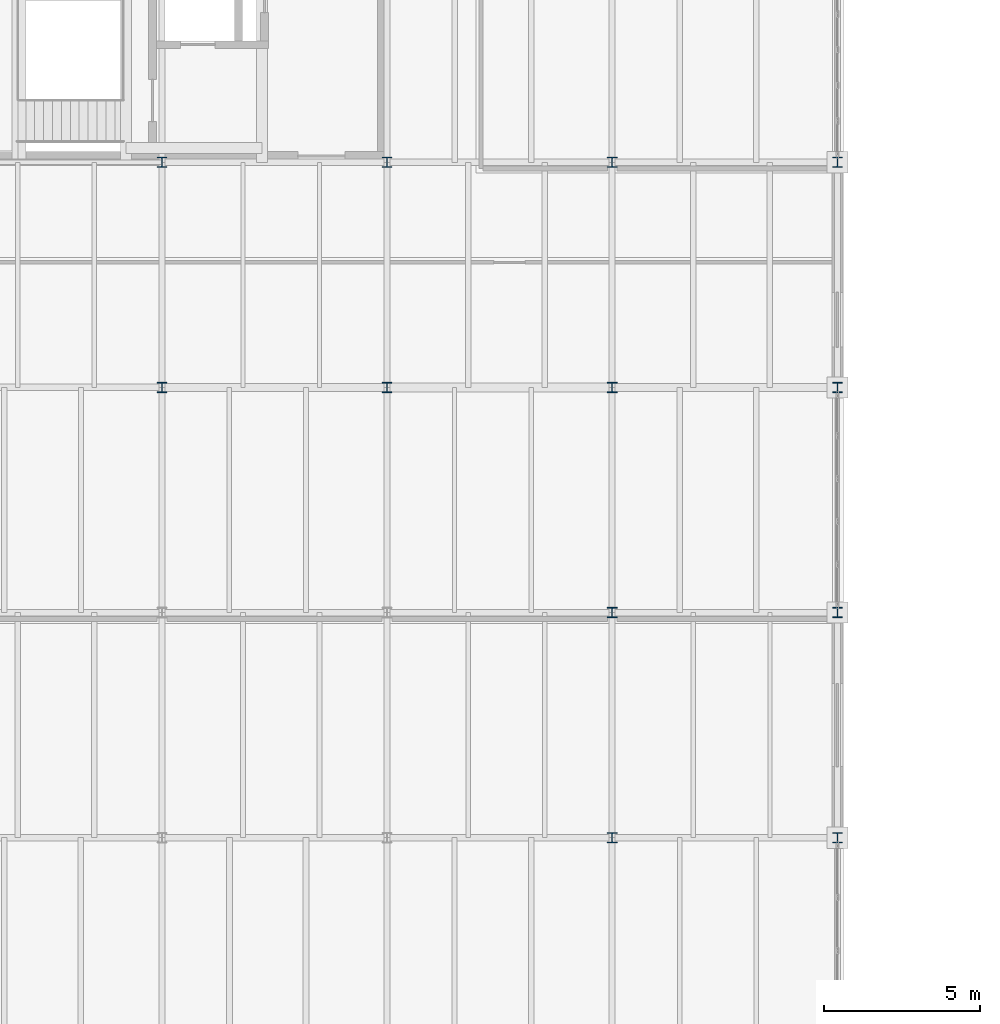
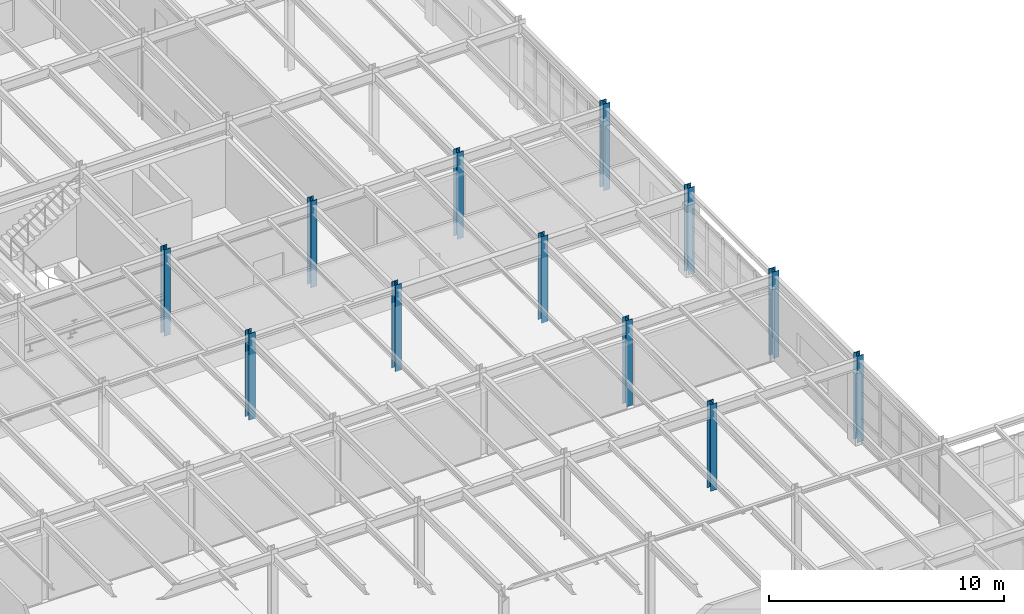
# One storey, part 4 of 137: 12 columns.
"""IFC4 building model written with IfcOpenShell, lengths in metres."""

from ifc_helpers import new_model, si_unit, direction, frame, origin, origin_2d, place, context, subcontext, project, spatial, i_section, extrude, material, material_profile, profile_set, type_object, element, save


model = new_model("IFC4")

# Units and contexts
model_context = context("Model", 3, precision=1e-05, world=origin(), true_north=direction((0.0, 1.0)))
body_context = subcontext(model_context, "Body", "Model", "MODEL_VIEW")
ifc_project = project(units=[si_unit("LENGTHUNIT", "METRE"), si_unit("AREAUNIT", "SQUARE_METRE"), si_unit("VOLUMEUNIT", "CUBIC_METRE"), si_unit("PLANEANGLEUNIT", "RADIAN"), si_unit("MASSUNIT", "GRAM", prefix="KILO")], contexts=[model_context])

# Site, building, storey
site_placement = place(None, origin())
site = spatial("IfcSite", under=ifc_project, at=site_placement, CompositionType="ELEMENT")
building_placement = place(site_placement, origin())
building = spatial("IfcBuilding", under=site, at=building_placement, Name="Kemerveld Promenade Tramway Depot", CompositionType="ELEMENT")
storey_placement = place(building_placement, frame((0.0, 0.0, 5.39990234375)))
storey = spatial("IfcBuildingStorey", under=building, at=storey_placement, Name="L01", CompositionType="ELEMENT", Elevation=5.39990234375)

# Columns
ifc_material = material(Name="Steel S355", Category="steel")
ifc_material_profile = material_profile(ifc_material, i_section(OverallWidth=0.311279296875, OverallDepth=0.3271484375, WebThickness=0.015869140625, FlangeThickness=0.02490234375, FilletRadius=0.01513671875, at=origin_2d()), Name="305x305x158 UC")
ifc_profile_set = profile_set([ifc_material_profile], Name="Steel S355")
column_type = type_object("IfcColumnType", Name="COL-S05", PredefinedType="COLUMN", material=ifc_profile_set)
for number, where, z_axis, x_axis, name in (
    (1, (36.0, 50.39990234375, 0.0), (0.0, 0.0, 1.0), (1.0, 0.0, 0.0), "COL-L01-06-H"),
    (2, (36.0, 57.60009765625, 0.0), (0.0, 0.0, 1.0), (1.0, 0.0, 0.0), "COL-L01-06-J"),
    (3, (43.199951171875, 50.39990234375, 0.0), (0.0, 0.0, 1.0), (1.0, 0.0, 0.0), "COL-L01-07-H"),
    (4, (43.199951171875, 57.60009765625, 0.0), (0.0, 0.0, 1.0), (1.0, 0.0, 0.0), "COL-L01-07-J"),
    (5, (50.39990234375, 36.0, 0.0), (0.0, 0.0, 1.0), (1.0, 0.0, 0.0), "COL-L01-08-F"),
    (6, (50.39990234375, 43.199951171875, 0.0), (0.0, 0.0, 1.0), (1.0, 0.0, 0.0), "COL-L01-08-G"),
    (7, (50.39990234375, 50.39990234375, 0.0), (0.0, 0.0, 1.0), (1.0, 0.0, 0.0), "COL-L01-08-H"),
    (8, (50.39990234375, 57.60009765625, 0.0), (0.0, 0.0, 1.0), (1.0, 0.0, 0.0), "COL-L01-08-J"),
    (9, (57.60009765625, 36.0, 0.0), (0.0, 0.0, 1.0), (1.0, 0.0, 0.0), "COL-L01-09-F"),
    (10, (57.60009765625, 43.199951171875, 0.0), (0.0, 0.0, 1.0), (1.0, 0.0, 0.0), "COL-L01-09-G"),
    (11, (57.60009765625, 50.39990234375, 0.0), (0.0, 0.0, 1.0), (1.0, 0.0, 0.0), "COL-L01-09-H"),
    (12, (57.60009765625, 57.60009765625, 0.0), (0.0, 0.0, 1.0), (1.0, 0.0, 0.0), "COL-L01-09-J"),
):
    element("IfcColumn", number, at=place(storey_placement, frame(where, z_axis=z_axis, x_axis=x_axis)), inside=storey, type_object=column_type, Name=name, PredefinedType="COLUMN", context=body_context, shape_type="SweptSolid", body=[
        extrude(i_section(OverallWidth=0.311279296875, OverallDepth=0.3271484375, WebThickness=0.015869140625, FlangeThickness=0.02490234375, FilletRadius=0.01513671875, at=origin_2d()), origin(), (0.0, 0.0, 1.0), 4.5),
    ])

save(model, "model.ifc")
